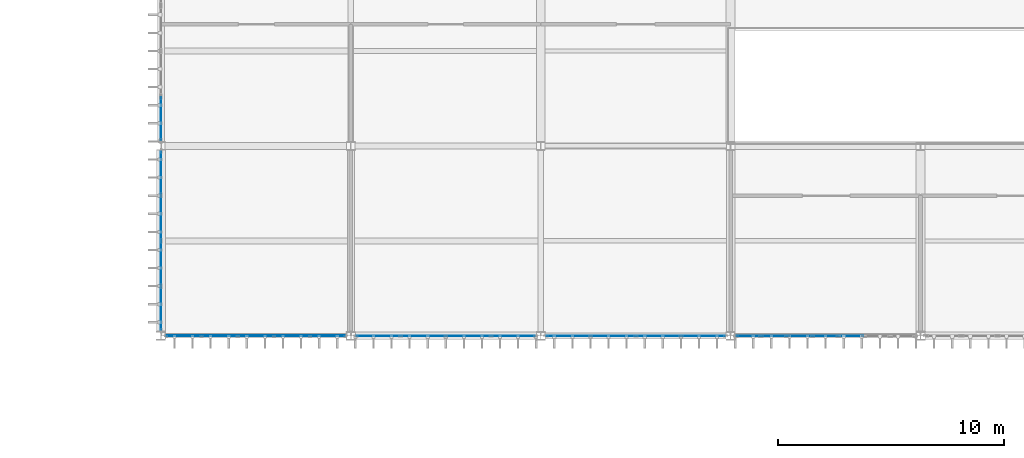
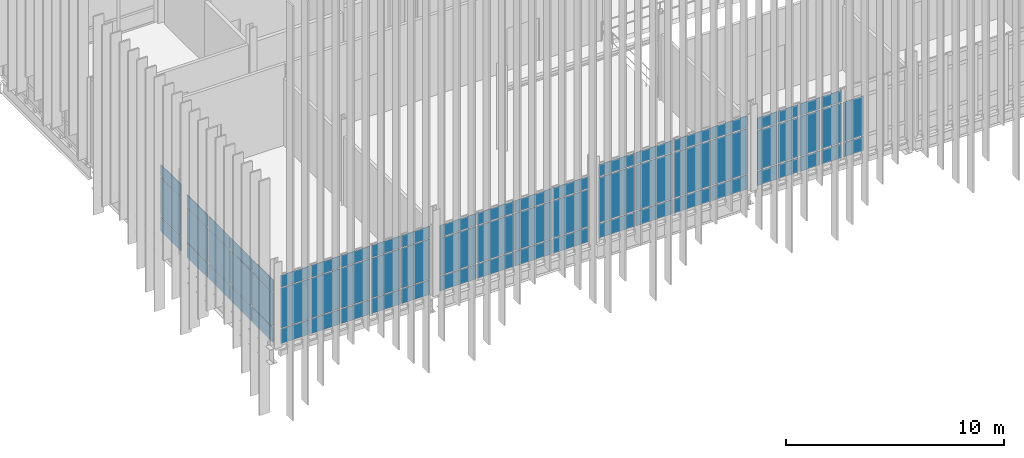
# One storey, part 96 of 153: 68 plates, 6 elements without a shape of their own.
"""IFC4 building model written with IfcOpenShell, lengths in metres."""

from ifc_helpers import new_model, si_unit, direction, frame, origin, origin_2d, place, context, subcontext, project, spatial, rectangle, extrude, material, layer, layer_set, type_object, element, aggregate, save


model = new_model("IFC4")

# Units and contexts
model_context = context("Model", 3, precision=1e-05, world=origin(), true_north=direction((0.0, 1.0)))
body_context = subcontext(model_context, "Body", "Model", "MODEL_VIEW")
ifc_project = project(units=[si_unit("LENGTHUNIT", "METRE"), si_unit("AREAUNIT", "SQUARE_METRE"), si_unit("VOLUMEUNIT", "CUBIC_METRE"), si_unit("PLANEANGLEUNIT", "RADIAN"), si_unit("MASSUNIT", "GRAM", prefix="KILO")], contexts=[model_context])

# Site, building, storey
site_placement = place(None, origin())
site = spatial("IfcSite", under=ifc_project, at=site_placement, CompositionType="ELEMENT")
building_placement = place(site_placement, origin())
building = spatial("IfcBuilding", under=site, at=building_placement, Name="Calvrana Isthmian Art Gallery", CompositionType="ELEMENT")
storey_placement = place(building_placement, frame((0.0, 0.0, 10.199951171875)))
storey = spatial("IfcBuildingStorey", under=building, at=storey_placement, Name="L02", CompositionType="ELEMENT", Elevation=10.199951171875)

# Curtain wall, plates
ifc_material_1 = material(Name="Anodized bronze aluminium 6063-T6", Category="aluminium")
ifc_layer_1 = layer(ifc_material_1, 0.179931640625, Name="Anodized bronze aluminium 6063-T6")
ifc_layer_set_1 = layer_set([ifc_layer_1], Name="Anodized bronze aluminium 6063-T6")
curtain_wall_type_1 = type_object("IfcCurtainWallType", Name="CW-STICK-080X39", PredefinedType="NOTDEFINED", material=ifc_layer_set_1)
curtain_wall_1_placement = place(storey_placement, origin())
curtain_wall_1 = element("IfcCurtainWall", 1, at=curtain_wall_1_placement, inside=storey, type_object=curtain_wall_type_1, Name="Curtain wall CW-145", PredefinedType="NOTDEFINED")
ifc_material_2 = material(Name="Polychrome glazed terracotta", Category="masonry")
ifc_layer_2 = layer(ifc_material_2, 0.033935546875, Name="Polychrome glazed terracotta")
ifc_layer_set_2 = layer_set([ifc_layer_2], Name="Polychrome glazed terracotta")
plate_type_1 = type_object("IfcPlateType", Name="CWP-SPANDREL-34", PredefinedType="CURTAIN_PANEL", material=ifc_layer_set_2)
plate_1_placement = place(storey_placement, frame((28.98681640625, 21.60009765625, 0.06005859375), z_axis=(0.0, 0.0, 1.0), x_axis=(-1.0, 0.0, 0.0)))
plate_1 = element("IfcPlate", 2, at=plate_1_placement, type_object=plate_type_1, Name="CW-145 panel 1.1", PredefinedType="CURTAIN_PANEL", context=body_context, shape_type="SweptSolid", body=[
    extrude(rectangle(XDim=1.510498046875, YDim=0.033935546875, at=origin_2d()), origin(), (0.0, 0.0, 1.0), 0.81005859375),
])
plate_2_placement = place(storey_placement, frame((28.98681640625, 21.60009765625, 0.93017578125), z_axis=(0.0, 0.0, 1.0), x_axis=(-1.0, 0.0, 0.0)))
plate_2 = element("IfcPlate", 3, at=plate_2_placement, type_object=plate_type_1, Name="CW-145 panel 1.2", PredefinedType="CURTAIN_PANEL", context=body_context, shape_type="SweptSolid", body=[
    extrude(rectangle(XDim=1.510498046875, YDim=0.033935546875, at=origin_2d()), origin(), (0.0, 0.0, 1.0), 2.218017578125),
])
plate_3_placement = place(storey_placement, frame((28.98681640625, 21.60009765625, 3.2080078125), z_axis=(0.0, 0.0, 1.0), x_axis=(-1.0, 0.0, 0.0)))
plate_3 = element("IfcPlate", 4, at=plate_3_placement, type_object=plate_type_1, Name="CW-145 panel 1.3", PredefinedType="CURTAIN_PANEL", context=body_context, shape_type="SweptSolid", body=[
    extrude(rectangle(XDim=1.510498046875, YDim=0.033935546875, at=origin_2d()), origin(), (0.0, 0.0, 1.0), 0.659912109375),
])
plate_4_placement = place(storey_placement, frame((27.4013671875, 21.60009765625, 0.06005859375), z_axis=(0.0, 0.0, 1.0), x_axis=(-1.0, 0.0, 0.0)))
plate_4 = element("IfcPlate", 5, at=plate_4_placement, type_object=plate_type_1, Name="CW-145 panel 2.1", PredefinedType="CURTAIN_PANEL", context=body_context, shape_type="SweptSolid", body=[
    extrude(rectangle(XDim=1.54052734375, YDim=0.033935546875, at=origin_2d()), origin(), (0.0, 0.0, 1.0), 0.81005859375),
])
plate_5_placement = place(storey_placement, frame((27.4013671875, 21.60009765625, 0.93017578125), z_axis=(0.0, 0.0, 1.0), x_axis=(-1.0, 0.0, 0.0)))
plate_5 = element("IfcPlate", 6, at=plate_5_placement, type_object=plate_type_1, Name="CW-145 panel 2.2", PredefinedType="CURTAIN_PANEL", context=body_context, shape_type="SweptSolid", body=[
    extrude(rectangle(XDim=1.54052734375, YDim=0.033935546875, at=origin_2d()), origin(), (0.0, 0.0, 1.0), 2.218017578125),
])
plate_6_placement = place(storey_placement, frame((27.4013671875, 21.60009765625, 3.2080078125), z_axis=(0.0, 0.0, 1.0), x_axis=(-1.0, 0.0, 0.0)))
plate_6 = element("IfcPlate", 7, at=plate_6_placement, type_object=plate_type_1, Name="CW-145 panel 2.3", PredefinedType="CURTAIN_PANEL", context=body_context, shape_type="SweptSolid", body=[
    extrude(rectangle(XDim=1.54052734375, YDim=0.033935546875, at=origin_2d()), origin(), (0.0, 0.0, 1.0), 0.659912109375),
])
plate_7_placement = place(storey_placement, frame((25.80078125, 21.60009765625, 0.06005859375), z_axis=(0.0, 0.0, 1.0), x_axis=(-1.0, 0.0, 0.0)))
plate_7 = element("IfcPlate", 8, at=plate_7_placement, type_object=plate_type_1, Name="CW-145 panel 3.1", PredefinedType="CURTAIN_PANEL", context=body_context, shape_type="SweptSolid", body=[
    extrude(rectangle(XDim=1.54052734375, YDim=0.033935546875, at=origin_2d()), origin(), (0.0, 0.0, 1.0), 0.81005859375),
])
plate_8_placement = place(storey_placement, frame((25.80078125, 21.60009765625, 0.93017578125), z_axis=(0.0, 0.0, 1.0), x_axis=(-1.0, 0.0, 0.0)))
plate_8 = element("IfcPlate", 9, at=plate_8_placement, type_object=plate_type_1, Name="CW-145 panel 3.2", PredefinedType="CURTAIN_PANEL", context=body_context, shape_type="SweptSolid", body=[
    extrude(rectangle(XDim=1.54052734375, YDim=0.033935546875, at=origin_2d()), origin(), (0.0, 0.0, 1.0), 2.218017578125),
])
plate_9_placement = place(storey_placement, frame((25.80078125, 21.60009765625, 3.2080078125), z_axis=(0.0, 0.0, 1.0), x_axis=(-1.0, 0.0, 0.0)))
plate_9 = element("IfcPlate", 10, at=plate_9_placement, type_object=plate_type_1, Name="CW-145 panel 3.3", PredefinedType="CURTAIN_PANEL", context=body_context, shape_type="SweptSolid", body=[
    extrude(rectangle(XDim=1.54052734375, YDim=0.033935546875, at=origin_2d()), origin(), (0.0, 0.0, 1.0), 0.659912109375),
])
plate_10_placement = place(storey_placement, frame((24.2001953125, 21.60009765625, 0.06005859375), z_axis=(0.0, 0.0, 1.0), x_axis=(-1.0, 0.0, 0.0)))
plate_10 = element("IfcPlate", 11, at=plate_10_placement, type_object=plate_type_1, Name="CW-145 panel 4.1", PredefinedType="CURTAIN_PANEL", context=body_context, shape_type="SweptSolid", body=[
    extrude(rectangle(XDim=1.54052734375, YDim=0.033935546875, at=origin_2d()), origin(), (0.0, 0.0, 1.0), 0.81005859375),
])
plate_11_placement = place(storey_placement, frame((24.2001953125, 21.60009765625, 0.93017578125), z_axis=(0.0, 0.0, 1.0), x_axis=(-1.0, 0.0, 0.0)))
plate_11 = element("IfcPlate", 12, at=plate_11_placement, type_object=plate_type_1, Name="CW-145 panel 4.2", PredefinedType="CURTAIN_PANEL", context=body_context, shape_type="SweptSolid", body=[
    extrude(rectangle(XDim=1.54052734375, YDim=0.033935546875, at=origin_2d()), origin(), (0.0, 0.0, 1.0), 2.218017578125),
])
plate_12_placement = place(storey_placement, frame((24.2001953125, 21.60009765625, 3.2080078125), z_axis=(0.0, 0.0, 1.0), x_axis=(-1.0, 0.0, 0.0)))
plate_12 = element("IfcPlate", 13, at=plate_12_placement, type_object=plate_type_1, Name="CW-145 panel 4.3", PredefinedType="CURTAIN_PANEL", context=body_context, shape_type="SweptSolid", body=[
    extrude(rectangle(XDim=1.54052734375, YDim=0.033935546875, at=origin_2d()), origin(), (0.0, 0.0, 1.0), 0.659912109375),
])
plate_13_placement = place(storey_placement, frame((22.61474609375, 21.60009765625, 0.06005859375), z_axis=(0.0, 0.0, 1.0), x_axis=(-1.0, 0.0, 0.0)))
plate_13 = element("IfcPlate", 14, at=plate_13_placement, type_object=plate_type_1, Name="CW-145 panel 5.1", PredefinedType="CURTAIN_PANEL", context=body_context, shape_type="SweptSolid", body=[
    extrude(rectangle(XDim=1.510498046875, YDim=0.033935546875, at=origin_2d()), origin(), (0.0, 0.0, 1.0), 0.81005859375),
])
plate_14_placement = place(storey_placement, frame((22.61474609375, 21.60009765625, 0.93017578125), z_axis=(0.0, 0.0, 1.0), x_axis=(-1.0, 0.0, 0.0)))
plate_14 = element("IfcPlate", 15, at=plate_14_placement, type_object=plate_type_1, Name="CW-145 panel 5.2", PredefinedType="CURTAIN_PANEL", context=body_context, shape_type="SweptSolid", body=[
    extrude(rectangle(XDim=1.510498046875, YDim=0.033935546875, at=origin_2d()), origin(), (0.0, 0.0, 1.0), 2.218017578125),
])
plate_15_placement = place(storey_placement, frame((22.61474609375, 21.60009765625, 3.2080078125), z_axis=(0.0, 0.0, 1.0), x_axis=(-1.0, 0.0, 0.0)))
plate_15 = element("IfcPlate", 16, at=plate_15_placement, type_object=plate_type_1, Name="CW-145 panel 5.3", PredefinedType="CURTAIN_PANEL", context=body_context, shape_type="SweptSolid", body=[
    extrude(rectangle(XDim=1.510498046875, YDim=0.033935546875, at=origin_2d()), origin(), (0.0, 0.0, 1.0), 0.659912109375),
])
aggregate(curtain_wall_1, [plate_1, plate_2, plate_3, plate_4, plate_5, plate_6, plate_7, plate_8, plate_9, plate_10, plate_11, plate_12, plate_13, plate_14, plate_15])

ifc_layer_3 = layer(ifc_material_1, 0.179931640625, Name="Anodized bronze aluminium 6063-T6")
ifc_layer_set_3 = layer_set([ifc_layer_3], Name="Anodized bronze aluminium 6063-T6")
curtain_wall_type_2 = type_object("IfcCurtainWallType", Name="CW-UNIT-080X38", PredefinedType="USERDEFINED", material=ifc_layer_set_3)
curtain_wall_2_placement = place(storey_placement, origin())
curtain_wall_2 = element("IfcCurtainWall", 17, at=curtain_wall_2_placement, inside=storey, type_object=curtain_wall_type_2, Name="Curtain wall CW-146", ObjectType="UNITISED CURTAIN WALL", PredefinedType="USERDEFINED")
ifc_material_3 = material(Name="Low-E laminated solar glass", Category="glass")
ifc_layer_4 = layer(ifc_material_3, 0.028076171875, Name="Low-E laminated solar glass")
ifc_layer_set_4 = layer_set([ifc_layer_4], Name="Low-E laminated solar glass")
plate_type_2 = type_object("IfcPlateType", Name="CWP-VISION-28", PredefinedType="CURTAIN_PANEL", material=ifc_layer_set_4)
plate_16_placement = place(storey_placement, frame((37.18603515625, 21.60009765625, 0.06005859375), z_axis=(0.0, 0.0, 1.0), x_axis=(-1.0, 0.0, 0.0)))
plate_16 = element("IfcPlate", 18, at=plate_16_placement, type_object=plate_type_2, Name="CW-146 panel 1.1", PredefinedType="CURTAIN_PANEL", context=body_context, shape_type="SweptSolid", body=[
    extrude(rectangle(XDim=1.90380859375, YDim=0.028076171875, at=origin_2d()), origin(), (0.0, 0.0, 1.0), 0.81005859375),
])
plate_17_placement = place(storey_placement, frame((37.18603515625, 21.60009765625, 0.93017578125), z_axis=(0.0, 0.0, 1.0), x_axis=(-1.0, 0.0, 0.0)))
plate_17 = element("IfcPlate", 19, at=plate_17_placement, type_object=plate_type_2, Name="CW-146 panel 1.2", PredefinedType="CURTAIN_PANEL", context=body_context, shape_type="SweptSolid", body=[
    extrude(rectangle(XDim=1.90380859375, YDim=0.028076171875, at=origin_2d()), origin(), (0.0, 0.0, 1.0), 2.068115234375),
])
plate_18_placement = place(storey_placement, frame((37.18603515625, 21.60009765625, 3.05810546875), z_axis=(0.0, 0.0, 1.0), x_axis=(-1.0, 0.0, 0.0)))
plate_18 = element("IfcPlate", 20, at=plate_18_placement, type_object=plate_type_2, Name="CW-146 panel 1.3", PredefinedType="CURTAIN_PANEL", context=body_context, shape_type="SweptSolid", body=[
    extrude(rectangle(XDim=1.90380859375, YDim=0.028076171875, at=origin_2d()), origin(), (0.0, 0.0, 1.0), 0.659912109375),
])
plate_19_placement = place(storey_placement, frame((35.201171875, 21.60009765625, 0.06005859375), z_axis=(0.0, 0.0, 1.0), x_axis=(-1.0, 0.0, 0.0)))
plate_19 = element("IfcPlate", 21, at=plate_19_placement, type_object=plate_type_2, Name="CW-146 panel 2.1", PredefinedType="CURTAIN_PANEL", context=body_context, shape_type="SweptSolid", body=[
    extrude(rectangle(XDim=1.936279296875, YDim=0.028076171875, at=origin_2d()), origin(), (0.0, 0.0, 1.0), 0.81005859375),
])
plate_20_placement = place(storey_placement, frame((35.201171875, 21.60009765625, 0.93017578125), z_axis=(0.0, 0.0, 1.0), x_axis=(-1.0, 0.0, 0.0)))
plate_20 = element("IfcPlate", 22, at=plate_20_placement, type_object=plate_type_2, Name="CW-146 panel 2.2", PredefinedType="CURTAIN_PANEL", context=body_context, shape_type="SweptSolid", body=[
    extrude(rectangle(XDim=1.936279296875, YDim=0.028076171875, at=origin_2d()), origin(), (0.0, 0.0, 1.0), 2.068115234375),
])
plate_21_placement = place(storey_placement, frame((35.201171875, 21.60009765625, 3.05810546875), z_axis=(0.0, 0.0, 1.0), x_axis=(-1.0, 0.0, 0.0)))
plate_21 = element("IfcPlate", 23, at=plate_21_placement, type_object=plate_type_2, Name="CW-146 panel 2.3", PredefinedType="CURTAIN_PANEL", context=body_context, shape_type="SweptSolid", body=[
    extrude(rectangle(XDim=1.936279296875, YDim=0.028076171875, at=origin_2d()), origin(), (0.0, 0.0, 1.0), 0.659912109375),
])
plate_22_placement = place(storey_placement, frame((33.199951171875, 21.60009765625, 0.06005859375), z_axis=(0.0, 0.0, 1.0), x_axis=(-1.0, 0.0, 0.0)))
plate_22 = element("IfcPlate", 24, at=plate_22_placement, type_object=plate_type_2, Name="CW-146 panel 3.1", PredefinedType="CURTAIN_PANEL", context=body_context, shape_type="SweptSolid", body=[
    extrude(rectangle(XDim=1.936279296875, YDim=0.028076171875, at=origin_2d()), origin(), (0.0, 0.0, 1.0), 0.81005859375),
])
plate_23_placement = place(storey_placement, frame((33.199951171875, 21.60009765625, 0.93017578125), z_axis=(0.0, 0.0, 1.0), x_axis=(-1.0, 0.0, 0.0)))
plate_23 = element("IfcPlate", 25, at=plate_23_placement, type_object=plate_type_2, Name="CW-146 panel 3.2", PredefinedType="CURTAIN_PANEL", context=body_context, shape_type="SweptSolid", body=[
    extrude(rectangle(XDim=1.936279296875, YDim=0.028076171875, at=origin_2d()), origin(), (0.0, 0.0, 1.0), 2.068115234375),
])
plate_24_placement = place(storey_placement, frame((33.199951171875, 21.60009765625, 3.05810546875), z_axis=(0.0, 0.0, 1.0), x_axis=(-1.0, 0.0, 0.0)))
plate_24 = element("IfcPlate", 26, at=plate_24_placement, type_object=plate_type_2, Name="CW-146 panel 3.3", PredefinedType="CURTAIN_PANEL", context=body_context, shape_type="SweptSolid", body=[
    extrude(rectangle(XDim=1.936279296875, YDim=0.028076171875, at=origin_2d()), origin(), (0.0, 0.0, 1.0), 0.659912109375),
])
plate_25_placement = place(storey_placement, frame((31.21484375, 21.60009765625, 0.06005859375), z_axis=(0.0, 0.0, 1.0), x_axis=(-1.0, 0.0, 0.0)))
plate_25 = element("IfcPlate", 27, at=plate_25_placement, type_object=plate_type_2, Name="CW-146 panel 4.1", PredefinedType="CURTAIN_PANEL", context=body_context, shape_type="SweptSolid", body=[
    extrude(rectangle(XDim=1.90380859375, YDim=0.028076171875, at=origin_2d()), origin(), (0.0, 0.0, 1.0), 0.81005859375),
])
plate_26_placement = place(storey_placement, frame((31.21484375, 21.60009765625, 0.93017578125), z_axis=(0.0, 0.0, 1.0), x_axis=(-1.0, 0.0, 0.0)))
plate_26 = element("IfcPlate", 28, at=plate_26_placement, type_object=plate_type_2, Name="CW-146 panel 4.2", PredefinedType="CURTAIN_PANEL", context=body_context, shape_type="SweptSolid", body=[
    extrude(rectangle(XDim=1.90380859375, YDim=0.028076171875, at=origin_2d()), origin(), (0.0, 0.0, 1.0), 2.068115234375),
])
plate_27_placement = place(storey_placement, frame((31.21484375, 21.60009765625, 3.05810546875), z_axis=(0.0, 0.0, 1.0), x_axis=(-1.0, 0.0, 0.0)))
plate_27 = element("IfcPlate", 29, at=plate_27_placement, type_object=plate_type_2, Name="CW-146 panel 4.3", PredefinedType="CURTAIN_PANEL", context=body_context, shape_type="SweptSolid", body=[
    extrude(rectangle(XDim=1.90380859375, YDim=0.028076171875, at=origin_2d()), origin(), (0.0, 0.0, 1.0), 0.659912109375),
])
aggregate(curtain_wall_2, [plate_16, plate_17, plate_18, plate_19, plate_20, plate_21, plate_22, plate_23, plate_24, plate_25, plate_26, plate_27])

ifc_layer_5 = layer(ifc_material_1, 0.179931640625, Name="Anodized bronze aluminium 6063-T6")
ifc_layer_set_5 = layer_set([ifc_layer_5], Name="Anodized bronze aluminium 6063-T6")
curtain_wall_type_3 = type_object("IfcCurtainWallType", Name="CW-UNIT-080X42", PredefinedType="USERDEFINED", material=ifc_layer_set_5)
curtain_wall_3_placement = place(storey_placement, origin())
curtain_wall_3 = element("IfcCurtainWall", 30, at=curtain_wall_3_placement, inside=storey, type_object=curtain_wall_type_3, Name="Curtain wall CW-147", ObjectType="UNITISED CURTAIN WALL", PredefinedType="USERDEFINED")
plate_28_placement = place(storey_placement, frame((45.593994140625, 21.60009765625, 0.06494140625), z_axis=(0.0, 0.0, 1.0), x_axis=(-1.0, 0.0, 0.0)))
plate_28 = element("IfcPlate", 31, at=plate_28_placement, type_object=plate_type_2, Name="CW-147 panel 1.1", PredefinedType="CURTAIN_PANEL", context=body_context, shape_type="SweptSolid", body=[
    extrude(rectangle(XDim=1.899169921875, YDim=0.028076171875, at=origin_2d()), origin(), (0.0, 0.0, 1.0), 0.802490234375),
])
plate_29_placement = place(storey_placement, frame((45.593994140625, 21.60009765625, 0.9326171875), z_axis=(0.0, 0.0, 1.0), x_axis=(-1.0, 0.0, 0.0)))
plate_29 = element("IfcPlate", 32, at=plate_29_placement, type_object=plate_type_2, Name="CW-147 panel 1.2", PredefinedType="CURTAIN_PANEL", context=body_context, shape_type="SweptSolid", body=[
    extrude(rectangle(XDim=1.899169921875, YDim=0.028076171875, at=origin_2d()), origin(), (0.0, 0.0, 1.0), 2.520263671875),
])
plate_30_placement = place(storey_placement, frame((45.593994140625, 21.60009765625, 3.517578125), z_axis=(0.0, 0.0, 1.0), x_axis=(-1.0, 0.0, 0.0)))
plate_30 = element("IfcPlate", 33, at=plate_30_placement, type_object=plate_type_2, Name="CW-147 panel 1.3", PredefinedType="CURTAIN_PANEL", context=body_context, shape_type="SweptSolid", body=[
    extrude(rectangle(XDim=1.899169921875, YDim=0.028076171875, at=origin_2d()), origin(), (0.0, 0.0, 1.0), 0.652587890625),
])
plate_31_placement = place(storey_placement, frame((43.607421875, 21.60009765625, 0.06494140625), z_axis=(0.0, 0.0, 1.0), x_axis=(-1.0, 0.0, 0.0)))
plate_31 = element("IfcPlate", 34, at=plate_31_placement, type_object=plate_type_2, Name="CW-147 panel 2.1", PredefinedType="CURTAIN_PANEL", context=body_context, shape_type="SweptSolid", body=[
    extrude(rectangle(XDim=1.93408203125, YDim=0.028076171875, at=origin_2d()), origin(), (0.0, 0.0, 1.0), 0.802490234375),
])
plate_32_placement = place(storey_placement, frame((43.607421875, 21.60009765625, 0.9326171875), z_axis=(0.0, 0.0, 1.0), x_axis=(-1.0, 0.0, 0.0)))
plate_32 = element("IfcPlate", 35, at=plate_32_placement, type_object=plate_type_2, Name="CW-147 panel 2.2", PredefinedType="CURTAIN_PANEL", context=body_context, shape_type="SweptSolid", body=[
    extrude(rectangle(XDim=1.93408203125, YDim=0.028076171875, at=origin_2d()), origin(), (0.0, 0.0, 1.0), 2.520263671875),
])
plate_33_placement = place(storey_placement, frame((43.607421875, 21.60009765625, 3.517578125), z_axis=(0.0, 0.0, 1.0), x_axis=(-1.0, 0.0, 0.0)))
plate_33 = element("IfcPlate", 36, at=plate_33_placement, type_object=plate_type_2, Name="CW-147 panel 2.3", PredefinedType="CURTAIN_PANEL", context=body_context, shape_type="SweptSolid", body=[
    extrude(rectangle(XDim=1.93408203125, YDim=0.028076171875, at=origin_2d()), origin(), (0.0, 0.0, 1.0), 0.652587890625),
])
plate_34_placement = place(storey_placement, frame((41.603271484375, 21.60009765625, 0.06494140625), z_axis=(0.0, 0.0, 1.0), x_axis=(-1.0, 0.0, 0.0)))
plate_34 = element("IfcPlate", 37, at=plate_34_placement, type_object=plate_type_2, Name="CW-147 panel 3.1", PredefinedType="CURTAIN_PANEL", context=body_context, shape_type="SweptSolid", body=[
    extrude(rectangle(XDim=1.93408203125, YDim=0.028076171875, at=origin_2d()), origin(), (0.0, 0.0, 1.0), 0.802490234375),
])
plate_35_placement = place(storey_placement, frame((41.603271484375, 21.60009765625, 0.9326171875), z_axis=(0.0, 0.0, 1.0), x_axis=(-1.0, 0.0, 0.0)))
plate_35 = element("IfcPlate", 38, at=plate_35_placement, type_object=plate_type_2, Name="CW-147 panel 3.2", PredefinedType="CURTAIN_PANEL", context=body_context, shape_type="SweptSolid", body=[
    extrude(rectangle(XDim=1.93408203125, YDim=0.028076171875, at=origin_2d()), origin(), (0.0, 0.0, 1.0), 2.520263671875),
])
plate_36_placement = place(storey_placement, frame((41.603271484375, 21.60009765625, 3.517578125), z_axis=(0.0, 0.0, 1.0), x_axis=(-1.0, 0.0, 0.0)))
plate_36 = element("IfcPlate", 39, at=plate_36_placement, type_object=plate_type_2, Name="CW-147 panel 3.3", PredefinedType="CURTAIN_PANEL", context=body_context, shape_type="SweptSolid", body=[
    extrude(rectangle(XDim=1.93408203125, YDim=0.028076171875, at=origin_2d()), origin(), (0.0, 0.0, 1.0), 0.652587890625),
])
plate_37_placement = place(storey_placement, frame((39.616455078125, 21.60009765625, 0.06494140625), z_axis=(0.0, 0.0, 1.0), x_axis=(-1.0, 0.0, 0.0)))
plate_37 = element("IfcPlate", 40, at=plate_37_placement, type_object=plate_type_2, Name="CW-147 panel 4.1", PredefinedType="CURTAIN_PANEL", context=body_context, shape_type="SweptSolid", body=[
    extrude(rectangle(XDim=1.899169921875, YDim=0.028076171875, at=origin_2d()), origin(), (0.0, 0.0, 1.0), 0.802490234375),
])
plate_38_placement = place(storey_placement, frame((39.616455078125, 21.60009765625, 0.9326171875), z_axis=(0.0, 0.0, 1.0), x_axis=(-1.0, 0.0, 0.0)))
plate_38 = element("IfcPlate", 41, at=plate_38_placement, type_object=plate_type_2, Name="CW-147 panel 4.2", PredefinedType="CURTAIN_PANEL", context=body_context, shape_type="SweptSolid", body=[
    extrude(rectangle(XDim=1.899169921875, YDim=0.028076171875, at=origin_2d()), origin(), (0.0, 0.0, 1.0), 2.520263671875),
])
plate_39_placement = place(storey_placement, frame((39.616455078125, 21.60009765625, 3.517578125), z_axis=(0.0, 0.0, 1.0), x_axis=(-1.0, 0.0, 0.0)))
plate_39 = element("IfcPlate", 42, at=plate_39_placement, type_object=plate_type_2, Name="CW-147 panel 4.3", PredefinedType="CURTAIN_PANEL", context=body_context, shape_type="SweptSolid", body=[
    extrude(rectangle(XDim=1.899169921875, YDim=0.028076171875, at=origin_2d()), origin(), (0.0, 0.0, 1.0), 0.652587890625),
])
aggregate(curtain_wall_3, [plate_28, plate_29, plate_30, plate_31, plate_32, plate_33, plate_34, plate_35, plate_36, plate_37, plate_38, plate_39])

curtain_wall_4_placement = place(storey_placement, origin())
curtain_wall_4 = element("IfcCurtainWall", 43, at=curtain_wall_4_placement, inside=storey, type_object=curtain_wall_type_1, Name="Curtain wall CW-148", PredefinedType="NOTDEFINED")
plate_40_placement = place(storey_placement, frame((52.138427734375, 21.60009765625, 0.070068359375), z_axis=(0.0, 0.0, 1.0), x_axis=(-1.0, 0.0, 0.0)))
plate_40 = element("IfcPlate", 44, at=plate_40_placement, type_object=plate_type_2, Name="CW-148 panel 3.1", PredefinedType="CURTAIN_PANEL", context=body_context, shape_type="SweptSolid", body=[
    extrude(rectangle(XDim=1.06982421875, YDim=0.028076171875, at=origin_2d()), origin(), (0.0, 0.0, 1.0), 0.794921875),
])
plate_41_placement = place(storey_placement, frame((52.138427734375, 21.60009765625, 0.93505859375), z_axis=(0.0, 0.0, 1.0), x_axis=(-1.0, 0.0, 0.0)))
plate_41 = element("IfcPlate", 45, at=plate_41_placement, type_object=plate_type_2, Name="CW-148 panel 3.2", PredefinedType="CURTAIN_PANEL", context=body_context, shape_type="SweptSolid", body=[
    extrude(rectangle(XDim=1.06982421875, YDim=0.028076171875, at=origin_2d()), origin(), (0.0, 0.0, 1.0), 2.197998046875),
])
plate_42_placement = place(storey_placement, frame((50.993408203125, 21.60009765625, 0.070068359375), z_axis=(0.0, 0.0, 1.0), x_axis=(-1.0, 0.0, 0.0)))
plate_42 = element("IfcPlate", 46, at=plate_42_placement, type_object=plate_type_2, Name="CW-148 panel 4.1", PredefinedType="CURTAIN_PANEL", context=body_context, shape_type="SweptSolid", body=[
    extrude(rectangle(XDim=1.06982421875, YDim=0.028076171875, at=origin_2d()), origin(), (0.0, 0.0, 1.0), 0.794921875),
])
plate_43_placement = place(storey_placement, frame((50.993408203125, 21.60009765625, 0.93505859375), z_axis=(0.0, 0.0, 1.0), x_axis=(-1.0, 0.0, 0.0)))
plate_43 = element("IfcPlate", 47, at=plate_43_placement, type_object=plate_type_2, Name="CW-148 panel 4.2", PredefinedType="CURTAIN_PANEL", context=body_context, shape_type="SweptSolid", body=[
    extrude(rectangle(XDim=1.06982421875, YDim=0.028076171875, at=origin_2d()), origin(), (0.0, 0.0, 1.0), 2.197998046875),
])
plate_44_placement = place(storey_placement, frame((50.993408203125, 21.60009765625, 3.203125), z_axis=(0.0, 0.0, 1.0), x_axis=(-1.0, 0.0, 0.0)))
plate_44 = element("IfcPlate", 48, at=plate_44_placement, type_object=plate_type_2, Name="CW-148 panel 4.3", PredefinedType="CURTAIN_PANEL", context=body_context, shape_type="SweptSolid", body=[
    extrude(rectangle(XDim=1.06982421875, YDim=0.028076171875, at=origin_2d()), origin(), (0.0, 0.0, 1.0), 0.64501953125),
])
plate_45_placement = place(storey_placement, frame((49.8486328125, 21.60009765625, 0.070068359375), z_axis=(0.0, 0.0, 1.0), x_axis=(-1.0, 0.0, 0.0)))
plate_45 = element("IfcPlate", 49, at=plate_45_placement, type_object=plate_type_2, Name="CW-148 panel 5.1", PredefinedType="CURTAIN_PANEL", context=body_context, shape_type="SweptSolid", body=[
    extrude(rectangle(XDim=1.06982421875, YDim=0.028076171875, at=origin_2d()), origin(), (0.0, 0.0, 1.0), 0.794921875),
])
plate_46_placement = place(storey_placement, frame((49.8486328125, 21.60009765625, 0.93505859375), z_axis=(0.0, 0.0, 1.0), x_axis=(-1.0, 0.0, 0.0)))
plate_46 = element("IfcPlate", 50, at=plate_46_placement, type_object=plate_type_2, Name="CW-148 panel 5.2", PredefinedType="CURTAIN_PANEL", context=body_context, shape_type="SweptSolid", body=[
    extrude(rectangle(XDim=1.06982421875, YDim=0.028076171875, at=origin_2d()), origin(), (0.0, 0.0, 1.0), 2.197998046875),
])
plate_47_placement = place(storey_placement, frame((49.8486328125, 21.60009765625, 3.203125), z_axis=(0.0, 0.0, 1.0), x_axis=(-1.0, 0.0, 0.0)))
plate_47 = element("IfcPlate", 51, at=plate_47_placement, type_object=plate_type_2, Name="CW-148 panel 5.3", PredefinedType="CURTAIN_PANEL", context=body_context, shape_type="SweptSolid", body=[
    extrude(rectangle(XDim=1.06982421875, YDim=0.028076171875, at=origin_2d()), origin(), (0.0, 0.0, 1.0), 0.64501953125),
])
plate_48_placement = place(storey_placement, frame((48.703857421875, 21.60009765625, 0.070068359375), z_axis=(0.0, 0.0, 1.0), x_axis=(-1.0, 0.0, 0.0)))
plate_48 = element("IfcPlate", 52, at=plate_48_placement, type_object=plate_type_2, Name="CW-148 panel 6.1", PredefinedType="CURTAIN_PANEL", context=body_context, shape_type="SweptSolid", body=[
    extrude(rectangle(XDim=1.06982421875, YDim=0.028076171875, at=origin_2d()), origin(), (0.0, 0.0, 1.0), 0.794921875),
])
plate_49_placement = place(storey_placement, frame((48.703857421875, 21.60009765625, 0.93505859375), z_axis=(0.0, 0.0, 1.0), x_axis=(-1.0, 0.0, 0.0)))
plate_49 = element("IfcPlate", 53, at=plate_49_placement, type_object=plate_type_2, Name="CW-148 panel 6.2", PredefinedType="CURTAIN_PANEL", context=body_context, shape_type="SweptSolid", body=[
    extrude(rectangle(XDim=1.06982421875, YDim=0.028076171875, at=origin_2d()), origin(), (0.0, 0.0, 1.0), 2.197998046875),
])
plate_50_placement = place(storey_placement, frame((48.703857421875, 21.60009765625, 3.203125), z_axis=(0.0, 0.0, 1.0), x_axis=(-1.0, 0.0, 0.0)))
plate_50 = element("IfcPlate", 54, at=plate_50_placement, type_object=plate_type_2, Name="CW-148 panel 6.3", PredefinedType="CURTAIN_PANEL", context=body_context, shape_type="SweptSolid", body=[
    extrude(rectangle(XDim=1.06982421875, YDim=0.028076171875, at=origin_2d()), origin(), (0.0, 0.0, 1.0), 0.64501953125),
])
plate_51_placement = place(storey_placement, frame((47.57763671875, 21.60009765625, 0.070068359375), z_axis=(0.0, 0.0, 1.0), x_axis=(-1.0, 0.0, 0.0)))
plate_51 = element("IfcPlate", 55, at=plate_51_placement, type_object=plate_type_2, Name="CW-148 panel 7.1", PredefinedType="CURTAIN_PANEL", context=body_context, shape_type="SweptSolid", body=[
    extrude(rectangle(XDim=1.032470703125, YDim=0.028076171875, at=origin_2d()), origin(), (0.0, 0.0, 1.0), 0.794921875),
])
plate_52_placement = place(storey_placement, frame((47.57763671875, 21.60009765625, 0.93505859375), z_axis=(0.0, 0.0, 1.0), x_axis=(-1.0, 0.0, 0.0)))
plate_52 = element("IfcPlate", 56, at=plate_52_placement, type_object=plate_type_2, Name="CW-148 panel 7.2", PredefinedType="CURTAIN_PANEL", context=body_context, shape_type="SweptSolid", body=[
    extrude(rectangle(XDim=1.032470703125, YDim=0.028076171875, at=origin_2d()), origin(), (0.0, 0.0, 1.0), 2.197998046875),
])
plate_53_placement = place(storey_placement, frame((47.57763671875, 21.60009765625, 3.203125), z_axis=(0.0, 0.0, 1.0), x_axis=(-1.0, 0.0, 0.0)))
plate_53 = element("IfcPlate", 57, at=plate_53_placement, type_object=plate_type_2, Name="CW-148 panel 7.3", PredefinedType="CURTAIN_PANEL", context=body_context, shape_type="SweptSolid", body=[
    extrude(rectangle(XDim=1.032470703125, YDim=0.028076171875, at=origin_2d()), origin(), (0.0, 0.0, 1.0), 0.64501953125),
])
aggregate(curtain_wall_4, [plate_40, plate_41, plate_42, plate_43, plate_44, plate_45, plate_46, plate_47, plate_48, plate_49, plate_50, plate_51, plate_52, plate_53])

ifc_layer_6 = layer(ifc_material_1, 0.179931640625, Name="Anodized bronze aluminium 6063-T6")
ifc_layer_set_6 = layer_set([ifc_layer_6], Name="Anodized bronze aluminium 6063-T6")
curtain_wall_type_4 = type_object("IfcCurtainWallType", Name="CW-UNIT-080X36", PredefinedType="USERDEFINED", material=ifc_layer_set_6)
curtain_wall_5_placement = place(storey_placement, origin())
curtain_wall_5 = element("IfcCurtainWall", 58, at=curtain_wall_5_placement, inside=storey, type_object=curtain_wall_type_4, Name="Curtain wall CW-166", ObjectType="UNITISED CURTAIN WALL", PredefinedType="USERDEFINED")
plate_54_placement = place(storey_placement, frame((21.60009765625, 22.8154296875, 0.06005859375), z_axis=(0.0, 0.0, 1.0), x_axis=(0.0, 1.0, 0.0)))
plate_54 = element("IfcPlate", 59, at=plate_54_placement, type_object=plate_type_2, Name="CW-166 panel 1.1", PredefinedType="CURTAIN_PANEL", context=body_context, shape_type="SweptSolid", body=[
    extrude(rectangle(XDim=1.894775390625, YDim=0.028076171875, at=origin_2d()), origin(), (0.0, 0.0, 1.0), 0.81005859375),
])
plate_55_placement = place(storey_placement, frame((21.60009765625, 22.8154296875, 0.93017578125), z_axis=(0.0, 0.0, 1.0), x_axis=(0.0, 1.0, 0.0)))
plate_55 = element("IfcPlate", 60, at=plate_55_placement, type_object=plate_type_2, Name="CW-166 panel 1.2", PredefinedType="CURTAIN_PANEL", context=body_context, shape_type="SweptSolid", body=[
    extrude(rectangle(XDim=1.894775390625, YDim=0.028076171875, at=origin_2d()), origin(), (0.0, 0.0, 1.0), 1.903076171875),
])
plate_56_placement = place(storey_placement, frame((21.60009765625, 22.8154296875, 2.89306640625), z_axis=(0.0, 0.0, 1.0), x_axis=(0.0, 1.0, 0.0)))
plate_56 = element("IfcPlate", 61, at=plate_56_placement, type_object=plate_type_2, Name="CW-166 panel 1.3", PredefinedType="CURTAIN_PANEL", context=body_context, shape_type="SweptSolid", body=[
    extrude(rectangle(XDim=1.894775390625, YDim=0.028076171875, at=origin_2d()), origin(), (0.0, 0.0, 1.0), 0.659912109375),
])
plate_57_placement = place(storey_placement, frame((21.60009765625, 24.803955078125, 0.06005859375), z_axis=(0.0, 0.0, 1.0), x_axis=(0.0, 1.0, 0.0)))
plate_57 = element("IfcPlate", 62, at=plate_57_placement, type_object=plate_type_2, Name="CW-166 panel 2.1", PredefinedType="CURTAIN_PANEL", context=body_context, shape_type="SweptSolid", body=[
    extrude(rectangle(XDim=1.93212890625, YDim=0.028076171875, at=origin_2d()), origin(), (0.0, 0.0, 1.0), 0.81005859375),
])
plate_58_placement = place(storey_placement, frame((21.60009765625, 24.803955078125, 0.93017578125), z_axis=(0.0, 0.0, 1.0), x_axis=(0.0, 1.0, 0.0)))
plate_58 = element("IfcPlate", 63, at=plate_58_placement, type_object=plate_type_2, Name="CW-166 panel 2.2", PredefinedType="CURTAIN_PANEL", context=body_context, shape_type="SweptSolid", body=[
    extrude(rectangle(XDim=1.93212890625, YDim=0.028076171875, at=origin_2d()), origin(), (0.0, 0.0, 1.0), 1.903076171875),
])
plate_59_placement = place(storey_placement, frame((21.60009765625, 24.803955078125, 2.89306640625), z_axis=(0.0, 0.0, 1.0), x_axis=(0.0, 1.0, 0.0)))
plate_59 = element("IfcPlate", 64, at=plate_59_placement, type_object=plate_type_2, Name="CW-166 panel 2.3", PredefinedType="CURTAIN_PANEL", context=body_context, shape_type="SweptSolid", body=[
    extrude(rectangle(XDim=1.93212890625, YDim=0.028076171875, at=origin_2d()), origin(), (0.0, 0.0, 1.0), 0.659912109375),
])
plate_60_placement = place(storey_placement, frame((21.60009765625, 26.81103515625, 0.06005859375), z_axis=(0.0, 0.0, 1.0), x_axis=(0.0, 1.0, 0.0)))
plate_60 = element("IfcPlate", 65, at=plate_60_placement, type_object=plate_type_2, Name="CW-166 panel 3.1", PredefinedType="CURTAIN_PANEL", context=body_context, shape_type="SweptSolid", body=[
    extrude(rectangle(XDim=1.93212890625, YDim=0.028076171875, at=origin_2d()), origin(), (0.0, 0.0, 1.0), 0.81005859375),
])
plate_61_placement = place(storey_placement, frame((21.60009765625, 26.81103515625, 0.93017578125), z_axis=(0.0, 0.0, 1.0), x_axis=(0.0, 1.0, 0.0)))
plate_61 = element("IfcPlate", 66, at=plate_61_placement, type_object=plate_type_2, Name="CW-166 panel 3.2", PredefinedType="CURTAIN_PANEL", context=body_context, shape_type="SweptSolid", body=[
    extrude(rectangle(XDim=1.93212890625, YDim=0.028076171875, at=origin_2d()), origin(), (0.0, 0.0, 1.0), 1.903076171875),
])
plate_62_placement = place(storey_placement, frame((21.60009765625, 26.81103515625, 2.89306640625), z_axis=(0.0, 0.0, 1.0), x_axis=(0.0, 1.0, 0.0)))
plate_62 = element("IfcPlate", 67, at=plate_62_placement, type_object=plate_type_2, Name="CW-166 panel 3.3", PredefinedType="CURTAIN_PANEL", context=body_context, shape_type="SweptSolid", body=[
    extrude(rectangle(XDim=1.93212890625, YDim=0.028076171875, at=origin_2d()), origin(), (0.0, 0.0, 1.0), 0.659912109375),
])
plate_63_placement = place(storey_placement, frame((21.60009765625, 28.799560546875, 0.06005859375), z_axis=(0.0, 0.0, 1.0), x_axis=(0.0, 1.0, 0.0)))
plate_63 = element("IfcPlate", 68, at=plate_63_placement, type_object=plate_type_2, Name="CW-166 panel 4.1", PredefinedType="CURTAIN_PANEL", context=body_context, shape_type="SweptSolid", body=[
    extrude(rectangle(XDim=1.894775390625, YDim=0.028076171875, at=origin_2d()), origin(), (0.0, 0.0, 1.0), 0.81005859375),
])
plate_64_placement = place(storey_placement, frame((21.60009765625, 28.799560546875, 0.93017578125), z_axis=(0.0, 0.0, 1.0), x_axis=(0.0, 1.0, 0.0)))
plate_64 = element("IfcPlate", 69, at=plate_64_placement, type_object=plate_type_2, Name="CW-166 panel 4.2", PredefinedType="CURTAIN_PANEL", context=body_context, shape_type="SweptSolid", body=[
    extrude(rectangle(XDim=1.894775390625, YDim=0.028076171875, at=origin_2d()), origin(), (0.0, 0.0, 1.0), 1.903076171875),
])
plate_65_placement = place(storey_placement, frame((21.60009765625, 28.799560546875, 2.89306640625), z_axis=(0.0, 0.0, 1.0), x_axis=(0.0, 1.0, 0.0)))
plate_65 = element("IfcPlate", 70, at=plate_65_placement, type_object=plate_type_2, Name="CW-166 panel 4.3", PredefinedType="CURTAIN_PANEL", context=body_context, shape_type="SweptSolid", body=[
    extrude(rectangle(XDim=1.894775390625, YDim=0.028076171875, at=origin_2d()), origin(), (0.0, 0.0, 1.0), 0.659912109375),
])
aggregate(curtain_wall_5, [plate_54, plate_55, plate_56, plate_57, plate_58, plate_59, plate_60, plate_61, plate_62, plate_63, plate_64, plate_65])

curtain_wall_6_placement = place(storey_placement, origin())
curtain_wall_6 = element("IfcCurtainWall", 71, at=curtain_wall_6_placement, inside=storey, type_object=curtain_wall_type_2, Name="Curtain wall CW-167", ObjectType="UNITISED CURTAIN WALL", PredefinedType="USERDEFINED")
plate_66_placement = place(storey_placement, frame((21.60009765625, 31.203125, 0.06494140625), z_axis=(0.0, 0.0, 1.0), x_axis=(0.0, 1.0, 0.0)))
plate_66 = element("IfcPlate", 72, at=plate_66_placement, type_object=plate_type_2, Name="CW-167 panel 1.1", PredefinedType="CURTAIN_PANEL", context=body_context, shape_type="SweptSolid", body=[
    extrude(rectangle(XDim=1.89013671875, YDim=0.028076171875, at=origin_2d()), origin(), (0.0, 0.0, 1.0), 0.802490234375),
])
plate_67_placement = place(storey_placement, frame((21.60009765625, 31.203125, 0.9326171875), z_axis=(0.0, 0.0, 1.0), x_axis=(0.0, 1.0, 0.0)))
plate_67 = element("IfcPlate", 73, at=plate_67_placement, type_object=plate_type_2, Name="CW-167 panel 1.2", PredefinedType="CURTAIN_PANEL", context=body_context, shape_type="SweptSolid", body=[
    extrude(rectangle(XDim=1.89013671875, YDim=0.028076171875, at=origin_2d()), origin(), (0.0, 0.0, 1.0), 2.132080078125),
])
plate_68_placement = place(storey_placement, frame((21.60009765625, 31.203125, 3.12939453125), z_axis=(0.0, 0.0, 1.0), x_axis=(0.0, 1.0, 0.0)))
plate_68 = element("IfcPlate", 74, at=plate_68_placement, type_object=plate_type_2, Name="CW-167 panel 1.3", PredefinedType="CURTAIN_PANEL", context=body_context, shape_type="SweptSolid", body=[
    extrude(rectangle(XDim=1.89013671875, YDim=0.028076171875, at=origin_2d()), origin(), (0.0, 0.0, 1.0), 0.652587890625),
])
aggregate(curtain_wall_6, [plate_66, plate_67, plate_68])

save(model, "model.ifc")
